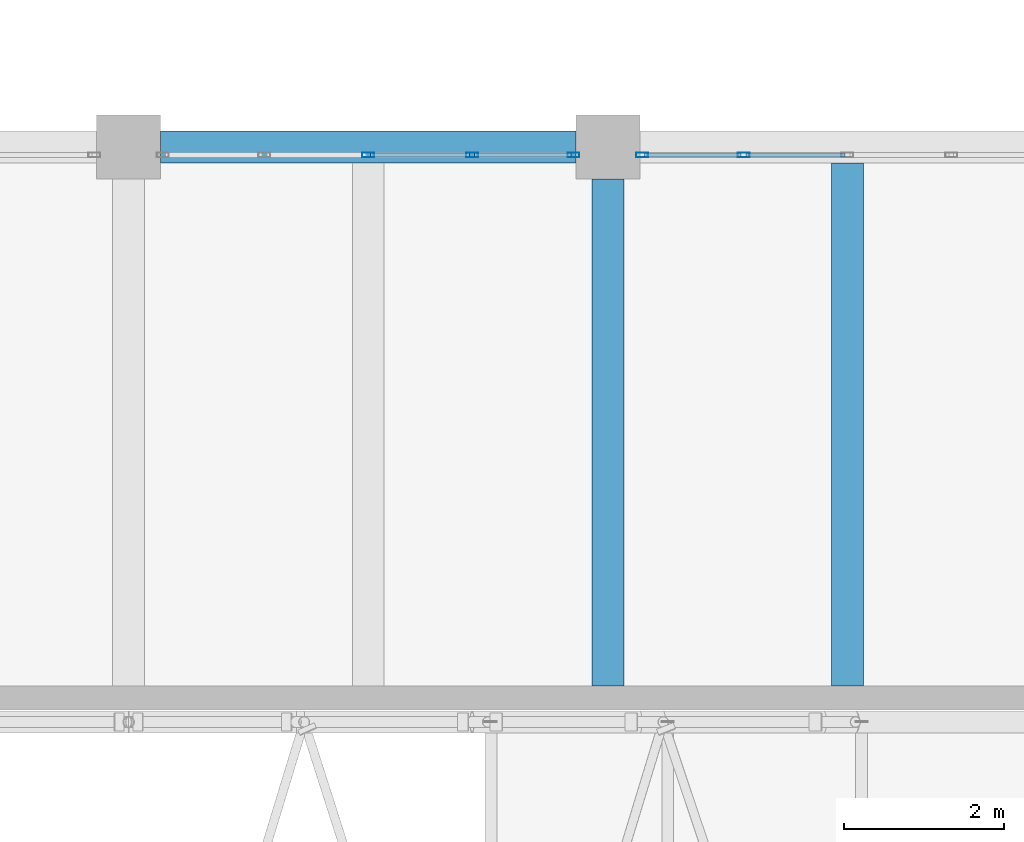
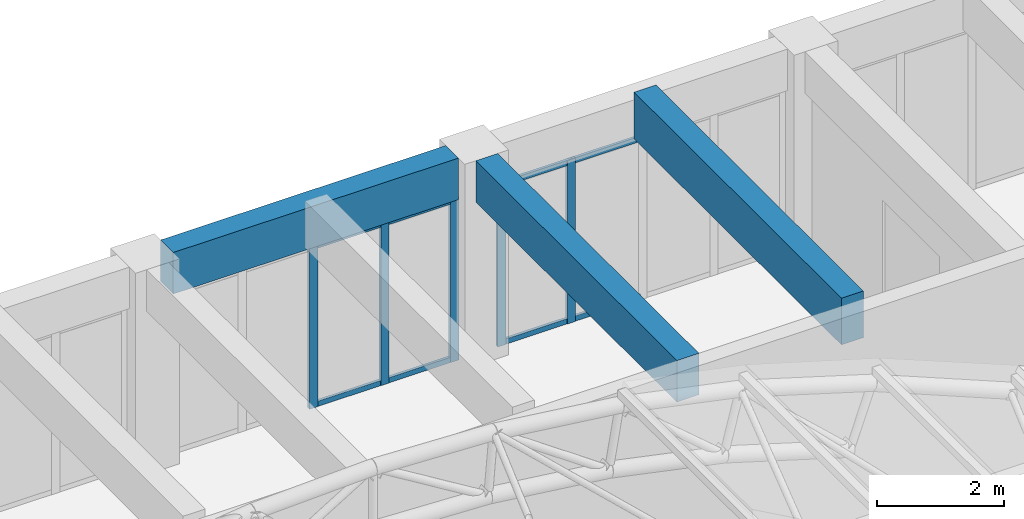
# One storey, part 14 of 92: 13 members, 3 beams, 2 elements without a shape of their own.
"""IFC4 building model written with IfcOpenShell, lengths in metres."""

from ifc_helpers import new_model, si_unit, direction, frame, origin, origin_2d, place, context, subcontext, project, spatial, rectangle, hollow_rectangle, extrude, material, material_profile, profile_set, type_object, element, aggregate, save


model = new_model("IFC4")

# Units and contexts
model_context = context("Model", 3, precision=1e-05, world=origin(), true_north=direction((0.0, 1.0)))
body_context = subcontext(model_context, "Body", "Model", "MODEL_VIEW")
ifc_project = project(units=[si_unit("LENGTHUNIT", "METRE"), si_unit("AREAUNIT", "SQUARE_METRE"), si_unit("VOLUMEUNIT", "CUBIC_METRE"), si_unit("PLANEANGLEUNIT", "RADIAN"), si_unit("MASSUNIT", "GRAM", prefix="KILO")], contexts=[model_context])

# Site, building, storey
site_placement = place(None, origin())
site = spatial("IfcSite", under=ifc_project, at=site_placement, CompositionType="ELEMENT")
building_placement = place(site_placement, origin())
building = spatial("IfcBuilding", under=site, at=building_placement, Name="Laocheng Heights Fire and Rescue Headquarters", CompositionType="ELEMENT")
storey_placement = place(building_placement, frame((0.0, 0.0, 12.60009765625)))
storey = spatial("IfcBuildingStorey", under=building, at=storey_placement, Name="L03", CompositionType="ELEMENT", Elevation=12.60009765625)

# Curtain wall, members
ifc_material_1 = material(Name="Aluminium unitised curtain wall, low-e double glazing", Category="aluminium")
curtain_wall_type = type_object("IfcCurtainWallType", Name="CW 5200 x 3150 GALLERY UNIT", PredefinedType="NOTDEFINED", material=ifc_material_1)
curtain_wall_1_placement = place(storey_placement, origin())
curtain_wall_1 = element("IfcCurtainWall", 1, at=curtain_wall_1_placement, inside=storey, type_object=curtain_wall_type, Name="Gallery north glazing L03", PredefinedType="NOTDEFINED")
ifc_material_2 = material(Name="Aluminium 6063-T5 extrusion", Category="aluminium")
ifc_material_profile_1 = material_profile(ifc_material_2, hollow_rectangle(XDim=0.06005859375, YDim=0.14990234375, WallThickness=0.0029296875, at=origin_2d()), Name="AL MULLION 150x60x3")
ifc_profile_set_1 = profile_set([ifc_material_profile_1], Name="Aluminium 6063-T5 extrusion")
member_type_1 = type_object("IfcMemberType", Name="AL CURTAIN WALL MULLION 150x60x3", PredefinedType="MULLION", material=ifc_profile_set_1)
member_1_placement = place(storey_placement, frame((39.0, 28.699951171875, 0.0), z_axis=(0.0, 0.0, 1.0), x_axis=(0.0, 1.0, 0.0)))
member_1 = element("IfcMember", 2, at=member_1_placement, type_object=member_type_1, Name="X6-E mullion 3", PredefinedType="MULLION", context=body_context, shape_type="SweptSolid", body=[
    extrude(hollow_rectangle(XDim=0.06005859375, YDim=0.14990234375, WallThickness=0.0029296875, at=origin_2d()), origin(), (0.0, 0.0, 1.0), 3.14990234375),
])
member_2_placement = place(storey_placement, frame((40.300048828125, 28.699951171875, 0.0), z_axis=(0.0, 0.0, 1.0), x_axis=(0.0, 1.0, 0.0)))
member_2 = element("IfcMember", 3, at=member_2_placement, type_object=member_type_1, Name="X6-E mullion 4", PredefinedType="MULLION", context=body_context, shape_type="SweptSolid", body=[
    extrude(hollow_rectangle(XDim=0.06005859375, YDim=0.14990234375, WallThickness=0.0029296875, at=origin_2d()), origin(), (0.0, 0.0, 1.0), 3.14990234375),
])
member_3_placement = place(storey_placement, frame((41.570068359375, 28.699951171875, 0.0), z_axis=(0.0, 0.0, 1.0), x_axis=(0.0, 1.0, 0.0)))
member_3 = element("IfcMember", 4, at=member_3_placement, type_object=member_type_1, Name="X6-E mullion 5", PredefinedType="MULLION", context=body_context, shape_type="SweptSolid", body=[
    extrude(hollow_rectangle(XDim=0.06005859375, YDim=0.14990234375, WallThickness=0.0029296875, at=origin_2d()), origin(), (0.0, 0.0, 1.0), 3.14990234375),
])

curtain_wall_2_placement = place(storey_placement, origin())
curtain_wall_2 = element("IfcCurtainWall", 5, at=curtain_wall_2_placement, inside=storey, type_object=curtain_wall_type, Name="Gallery north glazing L03", PredefinedType="NOTDEFINED")
member_4_placement = place(storey_placement, frame((42.429931640625, 28.699951171875, 0.0), z_axis=(0.0, 0.0, 1.0), x_axis=(0.0, 1.0, 0.0)))
member_4 = element("IfcMember", 6, at=member_4_placement, type_object=member_type_1, Name="X6-E mullion 1", PredefinedType="MULLION", context=body_context, shape_type="SweptSolid", body=[
    extrude(hollow_rectangle(XDim=0.06005859375, YDim=0.14990234375, WallThickness=0.0029296875, at=origin_2d()), origin(), (0.0, 0.0, 1.0), 3.14990234375),
])
member_5_placement = place(storey_placement, frame((43.699951171875, 28.699951171875, 0.0), z_axis=(0.0, 0.0, 1.0), x_axis=(0.0, 1.0, 0.0)))
member_5 = element("IfcMember", 7, at=member_5_placement, type_object=member_type_1, Name="X6-E mullion 2", PredefinedType="MULLION", context=body_context, shape_type="SweptSolid", body=[
    extrude(hollow_rectangle(XDim=0.06005859375, YDim=0.14990234375, WallThickness=0.0029296875, at=origin_2d()), origin(), (0.0, 0.0, 1.0), 3.14990234375),
])

# Member
ifc_material_3 = material(Name="Aluminium 6063-T5 extrusion", Category="aluminium")
ifc_material_profile_2 = material_profile(ifc_material_3, hollow_rectangle(XDim=0.050048828125, YDim=0.10009765625, WallThickness=0.0029296875, at=origin_2d()), Name="AL TRANSOM 100x50x3")
ifc_profile_set_2 = profile_set([ifc_material_profile_2], Name="Aluminium 6063-T5 extrusion")
member_type_2 = type_object("IfcMemberType", Name="AL CURTAIN WALL TRANSOM 100x50x3", PredefinedType="USERDEFINED", material=ifc_profile_set_2)
member_6_placement = place(storey_placement, frame((39.030029296875, 28.699951171875, 0.0498046875), z_axis=(1.0, 0.0, 0.0), x_axis=(0.0, 1.0, 0.0)))
member_6 = element("IfcMember", 8, at=member_6_placement, type_object=member_type_2, Name="X6-E transom 3.1", ObjectType="TRANSOM", PredefinedType="USERDEFINED", context=body_context, shape_type="SweptSolid", body=[
    extrude(hollow_rectangle(XDim=0.050048828125, YDim=0.10009765625, WallThickness=0.0029296875, at=origin_2d()), origin(), (0.0, 0.0, 1.0), 1.239990234375),
])

member_7_placement = place(storey_placement, frame((39.030029296875, 28.699951171875, 3.099853515625), z_axis=(1.0, 0.0, 0.0), x_axis=(0.0, 1.0, 0.0)))
member_7 = element("IfcMember", 9, at=member_7_placement, type_object=member_type_2, Name="X6-E transom 3.2", ObjectType="TRANSOM", PredefinedType="USERDEFINED", context=body_context, shape_type="SweptSolid", body=[
    extrude(hollow_rectangle(XDim=0.050048828125, YDim=0.10009765625, WallThickness=0.0029296875, at=origin_2d()), origin(), (0.0, 0.0, 1.0), 1.239990234375),
])

member_8_placement = place(storey_placement, frame((40.330078125, 28.699951171875, 0.0498046875), z_axis=(1.0, 0.0, 0.0), x_axis=(0.0, 1.0, 0.0)))
member_8 = element("IfcMember", 10, at=member_8_placement, type_object=member_type_2, Name="X6-E transom 4.1", ObjectType="TRANSOM", PredefinedType="USERDEFINED", context=body_context, shape_type="SweptSolid", body=[
    extrude(hollow_rectangle(XDim=0.050048828125, YDim=0.10009765625, WallThickness=0.0029296875, at=origin_2d()), origin(), (0.0, 0.0, 1.0), 1.2099609375),
])

member_9_placement = place(storey_placement, frame((40.330078125, 28.699951171875, 3.099853515625), z_axis=(1.0, 0.0, 0.0), x_axis=(0.0, 1.0, 0.0)))
member_9 = element("IfcMember", 11, at=member_9_placement, type_object=member_type_2, Name="X6-E transom 4.2", ObjectType="TRANSOM", PredefinedType="USERDEFINED", context=body_context, shape_type="SweptSolid", body=[
    extrude(hollow_rectangle(XDim=0.050048828125, YDim=0.10009765625, WallThickness=0.0029296875, at=origin_2d()), origin(), (0.0, 0.0, 1.0), 1.2099609375),
])

aggregate(curtain_wall_1, [member_1, member_2, member_3, member_6, member_7, member_8, member_9])

member_10_placement = place(storey_placement, frame((42.4599609375, 28.699951171875, 0.0498046875), z_axis=(1.0, 0.0, 0.0), x_axis=(0.0, 1.0, 0.0)))
member_10 = element("IfcMember", 12, at=member_10_placement, type_object=member_type_2, Name="X6-E transom 1.1", ObjectType="TRANSOM", PredefinedType="USERDEFINED", context=body_context, shape_type="SweptSolid", body=[
    extrude(hollow_rectangle(XDim=0.050048828125, YDim=0.10009765625, WallThickness=0.0029296875, at=origin_2d()), origin(), (0.0, 0.0, 1.0), 1.2099609375),
])

member_11_placement = place(storey_placement, frame((42.4599609375, 28.699951171875, 3.099853515625), z_axis=(1.0, 0.0, 0.0), x_axis=(0.0, 1.0, 0.0)))
member_11 = element("IfcMember", 13, at=member_11_placement, type_object=member_type_2, Name="X6-E transom 1.2", ObjectType="TRANSOM", PredefinedType="USERDEFINED", context=body_context, shape_type="SweptSolid", body=[
    extrude(hollow_rectangle(XDim=0.050048828125, YDim=0.10009765625, WallThickness=0.0029296875, at=origin_2d()), origin(), (0.0, 0.0, 1.0), 1.2099609375),
])

member_12_placement = place(storey_placement, frame((43.72998046875, 28.699951171875, 0.0498046875), z_axis=(1.0, 0.0, 0.0), x_axis=(0.0, 1.0, 0.0)))
member_12 = element("IfcMember", 14, at=member_12_placement, type_object=member_type_2, Name="X6-E transom 2.1", ObjectType="TRANSOM", PredefinedType="USERDEFINED", context=body_context, shape_type="SweptSolid", body=[
    extrude(hollow_rectangle(XDim=0.050048828125, YDim=0.10009765625, WallThickness=0.0029296875, at=origin_2d()), origin(), (0.0, 0.0, 1.0), 1.239990234375),
])

member_13_placement = place(storey_placement, frame((43.72998046875, 28.699951171875, 3.099853515625), z_axis=(1.0, 0.0, 0.0), x_axis=(0.0, 1.0, 0.0)))
member_13 = element("IfcMember", 15, at=member_13_placement, type_object=member_type_2, Name="X6-E transom 2.2", ObjectType="TRANSOM", PredefinedType="USERDEFINED", context=body_context, shape_type="SweptSolid", body=[
    extrude(hollow_rectangle(XDim=0.050048828125, YDim=0.10009765625, WallThickness=0.0029296875, at=origin_2d()), origin(), (0.0, 0.0, 1.0), 1.239990234375),
])

aggregate(curtain_wall_2, [member_4, member_5, member_10, member_11, member_12, member_13])

# Beams
ifc_material_4 = material(Name="Concrete C40", Category="concrete")
ifc_material_profile_3 = material_profile(ifc_material_4, rectangle(XDim=0.39990234375, YDim=0.800048828125, at=origin_2d()), Name="RC BEAM 400x800 GALLERY FLOOR")
ifc_profile_set_3 = profile_set([ifc_material_profile_3], Name="Concrete C40")
beam_type_1 = type_object("IfcBeamType", Name="RC BEAM 400x800 GALLERY FLOOR", PredefinedType="BEAM", material=ifc_profile_set_3)
beam_1_placement = place(storey_placement, frame((36.39990234375, 28.800048828125, 3.5498046875), z_axis=(1.0, 0.0, 0.0), x_axis=(0.0, 1.0, 0.0)))
element("IfcBeam", 16, at=beam_1_placement, inside=storey, type_object=beam_type_1, Name="Gallery roof beam", PredefinedType="BEAM", context=body_context, shape_type="SweptSolid", body=[
    extrude(rectangle(XDim=0.39990234375, YDim=0.800048828125, at=origin_2d()), origin(), (0.0, 0.0, 1.0), 5.2001953125),
])
ifc_material_5 = material(Name="Concrete C40", Category="concrete")
ifc_material_profile_4 = material_profile(ifc_material_5, rectangle(XDim=0.39990234375, YDim=0.800048828125, at=origin_2d()), Name="RC BEAM 400x800 GALLERY ROOF")
ifc_profile_set_4 = profile_set([ifc_material_profile_4], Name="Concrete C40")
beam_type_2 = type_object("IfcBeamType", Name="RC BEAM 400x800 GALLERY ROOF", PredefinedType="BEAM", material=ifc_profile_set_4)
beam_2_placement = place(storey_placement, frame((42.0, 22.050048828125, 3.5498046875), z_axis=(0.0, 1.0, 0.0), x_axis=(-1.0, 0.0, 0.0)))
element("IfcBeam", 17, at=beam_2_placement, inside=storey, type_object=beam_type_2, Name="Gallery beam on south wall", PredefinedType="BEAM", context=body_context, shape_type="SweptSolid", body=[
    extrude(rectangle(XDim=0.39990234375, YDim=0.800048828125, at=origin_2d()), origin(), (0.0, 0.0, 1.0), 6.349853515625),
])
ifc_material_6 = material(Name="Concrete C50", Category="concrete")
ifc_material_profile_5 = material_profile(ifc_material_6, rectangle(XDim=0.39990234375, YDim=0.89990234375, at=origin_2d()), Name="RC BEAM 400x900 TRANSFER SECONDARY")
ifc_profile_set_5 = profile_set([ifc_material_profile_5], Name="Concrete C50")
beam_type_3 = type_object("IfcBeamType", Name="RC BEAM 400x900 TRANSFER SECONDARY", PredefinedType="BEAM", material=ifc_profile_set_5)
beam_3_placement = place(storey_placement, frame((45.0, 22.050048828125, 3.64990234375), z_axis=(0.0, 1.0, 0.0), x_axis=(-1.0, 0.0, 0.0)))
element("IfcBeam", 18, at=beam_3_placement, inside=storey, type_object=beam_type_3, Name="Gallery secondary beam", PredefinedType="BEAM", context=body_context, shape_type="SweptSolid", body=[
    extrude(rectangle(XDim=0.39990234375, YDim=0.89990234375, at=origin_2d()), origin(), (0.0, 0.0, 1.0), 6.550048828125),
])

save(model, "model.ifc")
